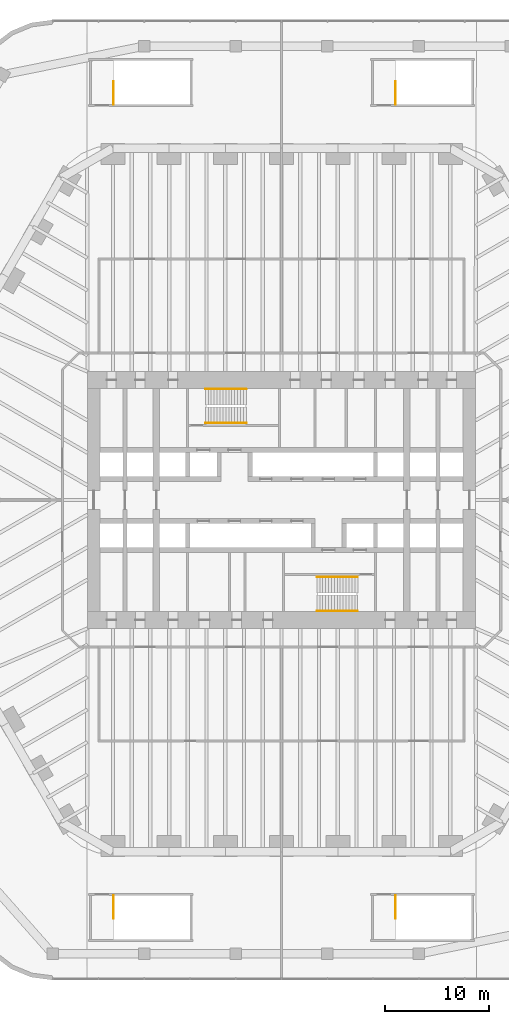
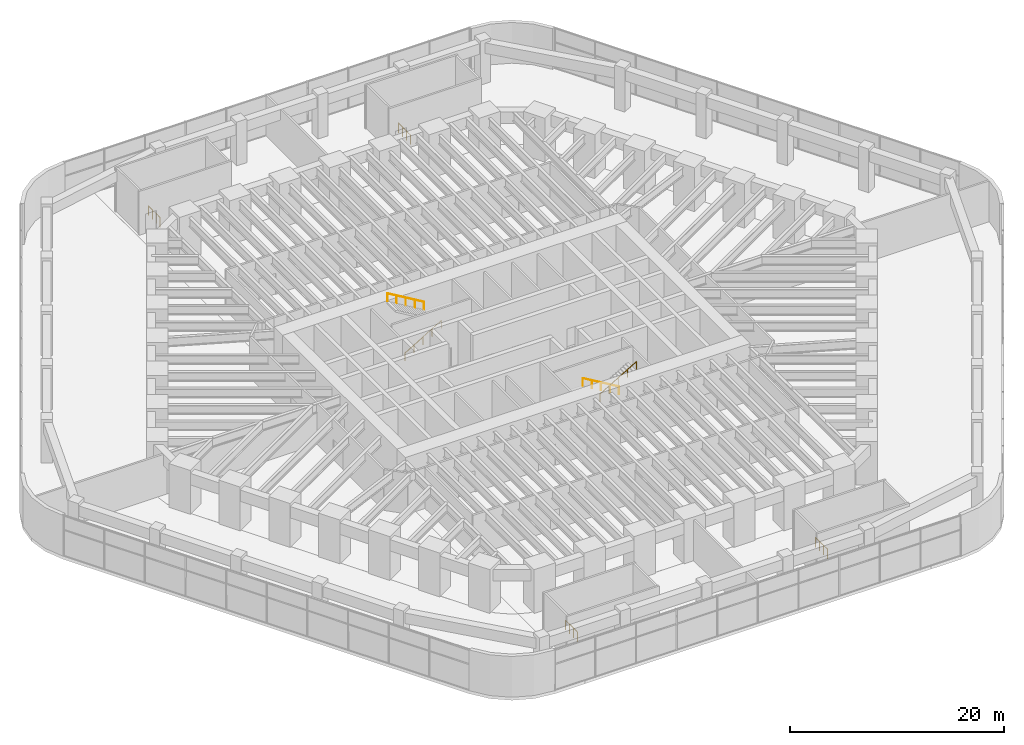
# One storey, part 31 of 31: 8 railings.
"""IFC4 building model written with IfcOpenShell, lengths in metres."""

from ifc_helpers import new_model, si_unit, direction, frame, origin, origin_2d, place, context, subcontext, project, spatial, circle, extrude, material, type_object, element, save


model = new_model("IFC4")

# Units and contexts
model_context = context("Model", 3, precision=1e-05, world=origin(), true_north=direction((0.0, 1.0)))
body_context = subcontext(model_context, "Body", "Model", "MODEL_VIEW")
ifc_project = project(units=[si_unit("LENGTHUNIT", "METRE"), si_unit("AREAUNIT", "SQUARE_METRE"), si_unit("VOLUMEUNIT", "CUBIC_METRE"), si_unit("PLANEANGLEUNIT", "RADIAN"), si_unit("MASSUNIT", "GRAM", prefix="KILO")], contexts=[model_context])

# Site, building, storey
site_placement = place(None, origin())
site = spatial("IfcSite", under=ifc_project, at=site_placement, CompositionType="ELEMENT")
building_placement = place(site_placement, origin())
building = spatial("IfcBuilding", under=site, at=building_placement, Name="Tarfa Lantern Tower", CompositionType="ELEMENT")
storey_placement = place(building_placement, frame((0.0, 0.0, 18.5)))
storey = spatial("IfcBuildingStorey", under=building, at=storey_placement, Name="L03", CompositionType="ELEMENT", Elevation=18.5)

# Railings
ifc_material = material(Name="Stainless steel", Category="steel")
railing_type_1 = type_object("IfcRailingType", Name="GR3 STAIR WELL GUARD 1100", PredefinedType="GUARDRAIL", material=ifc_material)
for number, where, name in (
    (1, (10.89990234375, 37.89990234375, 0.0), "Stair ST3 well guard"),
    (2, (-16.10009765625, 37.89990234375, 0.0), "Stair ST4 well guard"),
    (3, (-16.10009765625, -40.10009765625, 0.0), "Stair ST5 well guard"),
    (4, (10.89990234375, -40.10009765625, 0.0), "Stair ST6 well guard"),
):
    element("IfcRailing", number, at=place(storey_placement, frame(where)), inside=storey, type_object=railing_type_1, Name=name, PredefinedType="GUARDRAIL", context=body_context, shape_type="SweptSolid", body=[
        extrude(circle(Radius=0.02392578125, at=origin_2d()), frame((0.0, 0.0, 1.076171875), z_axis=(0.0, 1.0, 0.0), x_axis=(-1.0, 0.0, 0.0)), (0.0, 0.0, 1.0), 2.2001953125),
        extrude(circle(Radius=0.02099609375, at=origin_2d()), frame((0.0, 0.0, 0.0), z_axis=(0.0, 0.0, 1.0), x_axis=(-1.0, 0.0, 0.0)), (0.0, 0.0, 1.0), 1.052001953125),
        extrude(circle(Radius=0.02099609375, at=origin_2d()), frame((0.0, 0.7333984375, 0.0), z_axis=(0.0, 0.0, 1.0), x_axis=(-1.0, 0.0, 0.0)), (0.0, 0.0, 1.0), 1.052001953125),
        extrude(circle(Radius=0.02099609375, at=origin_2d()), frame((0.0, 1.466796875, 0.0), z_axis=(0.0, 0.0, 1.0), x_axis=(-1.0, 0.0, 0.0)), (0.0, 0.0, 1.0), 1.052001953125),
        extrude(circle(Radius=0.02099609375, at=origin_2d()), frame((0.0, 2.2001953125, 0.0), z_axis=(0.0, 0.0, 1.0), x_axis=(-1.0, 0.0, 0.0)), (0.0, 0.0, 1.0), 1.052001953125),
    ])
railing_type_2 = type_object("IfcRailingType", Name="HR1 HANDRAIL 900", PredefinedType="HANDRAIL", material=ifc_material)
railing_1_placement = place(storey_placement, frame((-7.300048828125, 7.3798828125, 0.166748046875)))
element("IfcRailing", 5, at=railing_1_placement, inside=storey, type_object=railing_type_2, Name="Handrail 1", PredefinedType="HANDRAIL", context=body_context, shape_type="SweptSolid", body=[
    extrude(circle(Radius=0.02392578125, at=origin_2d()), frame((0.0, 0.0, 0.8759765625), z_axis=(0.859310244771, 0.0, 0.511454693235), x_axis=(0.0, 1.0, 0.0)), (0.0, 0.0, 1.0), 4.56201171875),
    extrude(circle(Radius=0.02099609375, at=origin_2d()), frame((0.0, 0.0, 0.0), z_axis=(0.0, 0.0, 1.0), x_axis=(0.0, 1.0, 0.0)), (0.0, 0.0, 1.0), 0.851806640625),
    extrude(circle(Radius=0.02099609375, at=origin_2d()), frame((0.97998046875, 0.0, 0.583251953125), z_axis=(0.0, 0.0, 1.0), x_axis=(0.0, 1.0, 0.0)), (0.0, 0.0, 1.0), 0.851806640625),
    extrude(circle(Radius=0.02099609375, at=origin_2d()), frame((1.9599609375, 0.0, 1.16650390625), z_axis=(0.0, 0.0, 1.0), x_axis=(0.0, 1.0, 0.0)), (0.0, 0.0, 1.0), 0.851806640625),
    extrude(circle(Radius=0.02099609375, at=origin_2d()), frame((2.940185546875, 0.0, 1.75), z_axis=(0.0, 0.0, 1.0), x_axis=(0.0, 1.0, 0.0)), (0.0, 0.0, 1.0), 0.851806640625),
    extrude(circle(Radius=0.02099609375, at=origin_2d()), frame((3.920166015625, 0.0, 2.333251953125), z_axis=(0.0, 0.0, 1.0), x_axis=(0.0, 1.0, 0.0)), (0.0, 0.0, 1.0), 0.851806640625),
])
for number, where, name in (
    (6, (-3.3798828125, 10.6201171875, 2.666748046875), "Handrail 2"),
    (7, (7.300048828125, -7.3798828125, 0.166748046875), "Handrail 1"),
):
    element("IfcRailing", number, at=place(storey_placement, frame(where)), inside=storey, type_object=railing_type_2, Name=name, PredefinedType="HANDRAIL", context=body_context, shape_type="SweptSolid", body=[
        extrude(circle(Radius=0.02392578125, at=origin_2d()), frame((0.0, 0.0, 0.8759765625), z_axis=(-0.859310244771, 0.0, 0.511454693235), x_axis=(0.0, -1.0, 0.0)), (0.0, 0.0, 1.0), 4.56201171875),
        extrude(circle(Radius=0.02099609375, at=origin_2d()), frame((0.0, 0.0, 0.0), z_axis=(0.0, 0.0, 1.0), x_axis=(0.0, -1.0, 0.0)), (0.0, 0.0, 1.0), 0.851806640625),
        extrude(circle(Radius=0.02099609375, at=origin_2d()), frame((-0.97998046875, 0.0, 0.583251953125), z_axis=(0.0, 0.0, 1.0), x_axis=(0.0, -1.0, 0.0)), (0.0, 0.0, 1.0), 0.851806640625),
        extrude(circle(Radius=0.02099609375, at=origin_2d()), frame((-1.9599609375, 0.0, 1.16650390625), z_axis=(0.0, 0.0, 1.0), x_axis=(0.0, -1.0, 0.0)), (0.0, 0.0, 1.0), 0.851806640625),
        extrude(circle(Radius=0.02099609375, at=origin_2d()), frame((-2.940185546875, 0.0, 1.75), z_axis=(0.0, 0.0, 1.0), x_axis=(0.0, -1.0, 0.0)), (0.0, 0.0, 1.0), 0.851806640625),
        extrude(circle(Radius=0.02099609375, at=origin_2d()), frame((-3.920166015625, 0.0, 2.333251953125), z_axis=(0.0, 0.0, 1.0), x_axis=(0.0, -1.0, 0.0)), (0.0, 0.0, 1.0), 0.851806640625),
    ])
railing_2_placement = place(storey_placement, frame((3.3798828125, -10.6201171875, 2.666748046875)))
element("IfcRailing", 8, at=railing_2_placement, inside=storey, type_object=railing_type_2, Name="Handrail 2", PredefinedType="HANDRAIL", context=body_context, shape_type="SweptSolid", body=[
    extrude(circle(Radius=0.02392578125, at=origin_2d()), frame((0.0, 0.0, 0.8759765625), z_axis=(0.859310244771, 0.0, 0.511454693235), x_axis=(0.0, 1.0, 0.0)), (0.0, 0.0, 1.0), 4.56201171875),
    extrude(circle(Radius=0.02099609375, at=origin_2d()), frame((0.0, 0.0, 0.0), z_axis=(0.0, 0.0, 1.0), x_axis=(0.0, 1.0, 0.0)), (0.0, 0.0, 1.0), 0.851806640625),
    extrude(circle(Radius=0.02099609375, at=origin_2d()), frame((0.97998046875, 0.0, 0.583251953125), z_axis=(0.0, 0.0, 1.0), x_axis=(0.0, 1.0, 0.0)), (0.0, 0.0, 1.0), 0.851806640625),
    extrude(circle(Radius=0.02099609375, at=origin_2d()), frame((1.9599609375, 0.0, 1.16650390625), z_axis=(0.0, 0.0, 1.0), x_axis=(0.0, 1.0, 0.0)), (0.0, 0.0, 1.0), 0.851806640625),
    extrude(circle(Radius=0.02099609375, at=origin_2d()), frame((2.940185546875, 0.0, 1.75), z_axis=(0.0, 0.0, 1.0), x_axis=(0.0, 1.0, 0.0)), (0.0, 0.0, 1.0), 0.851806640625),
    extrude(circle(Radius=0.02099609375, at=origin_2d()), frame((3.920166015625, 0.0, 2.333251953125), z_axis=(0.0, 0.0, 1.0), x_axis=(0.0, 1.0, 0.0)), (0.0, 0.0, 1.0), 0.851806640625),
])

save(model, "model.ifc")
